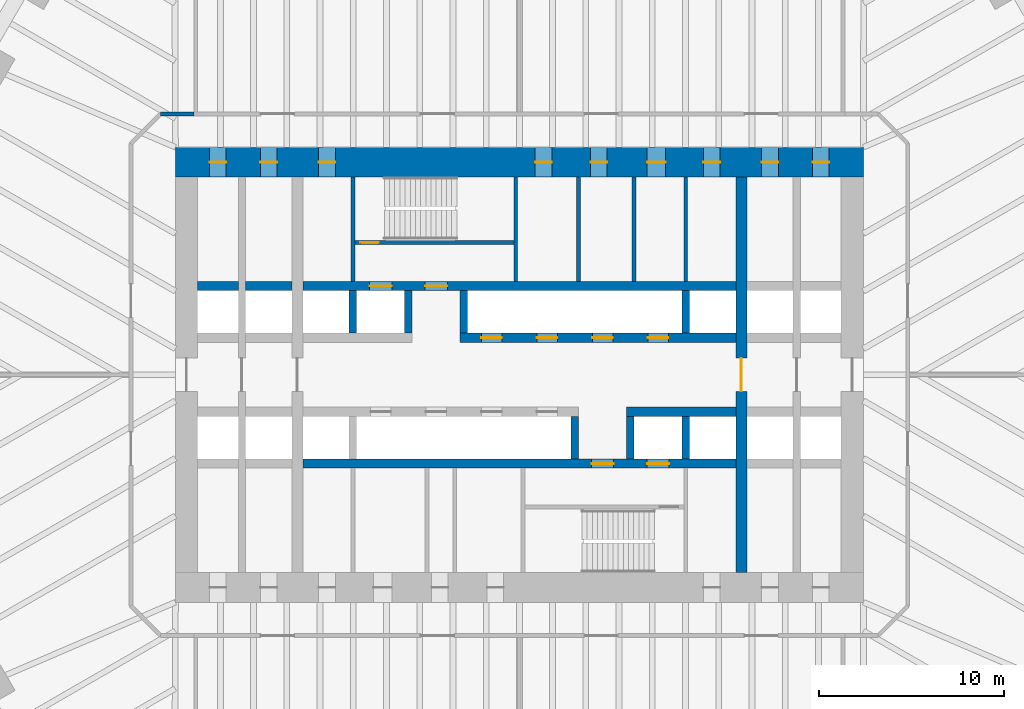
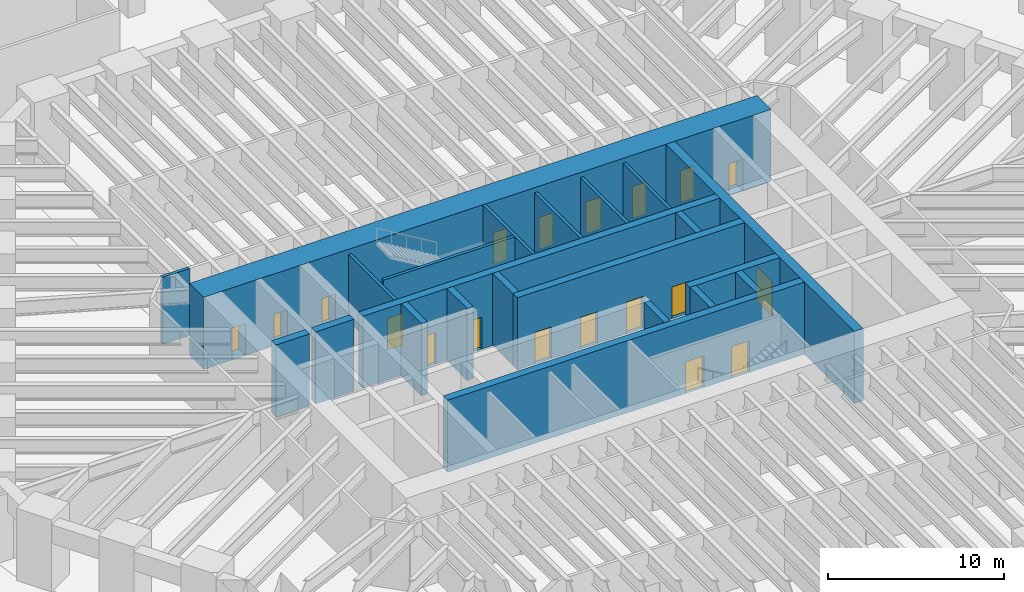
# One storey, part 28 of 31: 22 walls, 19 doors, 19 openings.
"""IFC4 building model written with IfcOpenShell, lengths in metres."""

from ifc_helpers import new_model, si_unit, direction, frame, frame_2d, origin, place, context, subcontext, project, spatial, rectangle, extrude, material, layer, layer_set, type_object, element, fill, save


model = new_model("IFC4")

# Units and contexts
model_context = context("Model", 3, precision=1e-05, world=origin(), true_north=direction((0.0, 1.0)))
body_context = subcontext(model_context, "Body", "Model", "MODEL_VIEW")
ifc_project = project(units=[si_unit("LENGTHUNIT", "METRE"), si_unit("AREAUNIT", "SQUARE_METRE"), si_unit("VOLUMEUNIT", "CUBIC_METRE"), si_unit("PLANEANGLEUNIT", "RADIAN"), si_unit("MASSUNIT", "GRAM", prefix="KILO")], contexts=[model_context])

# Site, building, storey
site_placement = place(None, origin())
site = spatial("IfcSite", under=ifc_project, at=site_placement, CompositionType="ELEMENT")
building_placement = place(site_placement, origin())
building = spatial("IfcBuilding", under=site, at=building_placement, Name="Tarfa Lantern Tower", CompositionType="ELEMENT")
storey_placement = place(building_placement, frame((0.0, 0.0, 18.5)))
storey = spatial("IfcBuildingStorey", under=building, at=storey_placement, Name="L03", CompositionType="ELEMENT", Elevation=18.5)

# Walls
ifc_material_1 = material(Name="Concrete blockwork", Category="masonry")
ifc_layer_1 = layer(ifc_material_1, 0.199951171875)
ifc_layer_set_1 = layer_set([ifc_layer_1], Name="IW1 BLOCKWORK PARTITION 200 EI 120")
wall_type_1 = type_object("IfcWallType", Name="IW1 BLOCKWORK PARTITION 200 EI 120", PredefinedType="PARTITIONING", material=ifc_layer_set_1)
for number, where, z_axis, x_axis, name in (
    (1, (-9.0, 5.050048828125, 0.0), (0.0, 0.0, 1.0), (0.0, 1.0, 0.0), "Core partition"),
    (2, (9.0, 5.050048828125, 0.0), (0.0, 0.0, 1.0), (0.0, 1.0, 0.0), "Core partition"),
    (3, (3.199951171875, 5.050048828125, 0.0), (0.0, 0.0, 1.0), (0.0, 1.0, 0.0), "Core partition"),
    (4, (6.199951171875, 5.050048828125, 0.0), (0.0, 0.0, 1.0), (0.0, 1.0, 0.0), "Core partition"),
):
    element("IfcWall", number, at=place(storey_placement, frame(where, z_axis=z_axis, x_axis=x_axis)), inside=storey, type_object=wall_type_1, Name=name, PredefinedType="PARTITIONING", context=body_context, shape_type="SweptSolid", body=[
        extrude(rectangle(XDim=5.64990234375, YDim=0.199951171875, at=frame_2d((2.824951171875, 0.0))), origin(), (0.0, 0.0, 1.0), 4.64990234375),
    ])
ifc_material_2 = material(Name="Gypsum board on steel studs", Category="steel")
ifc_layer_2 = layer(ifc_material_2, 0.2099609375)
ifc_layer_set_2 = layer_set([ifc_layer_2], Name="IW2 ACOUSTIC PARTITION 200")
wall_type_2 = type_object("IfcWallType", Name="IW2 ACOUSTIC PARTITION 200", PredefinedType="PARTITIONING", material=ifc_layer_set_2)
wall_1_placement = place(storey_placement, frame((-19.39990234375, 14.10009765625, 0.0), z_axis=(0.0, 0.0, 1.0), x_axis=(1.0, 0.0, 0.0)))
element("IfcWall", 5, at=wall_1_placement, inside=storey, type_object=wall_type_2, Name="Partition", PredefinedType="PARTITIONING", context=body_context, shape_type="SweptSolid", body=[
    extrude(rectangle(XDim=1.7998046875, YDim=0.199951171875, at=frame_2d((0.89990234375, 0.0))), origin(), (0.0, 0.0, 1.0), 4.64990234375),
])
ifc_material_3 = material(Name="Concrete C80/95", Category="concrete")
ifc_layer_3 = layer(ifc_material_3, 0.199951171875)
ifc_layer_set_3 = layer_set([ifc_layer_3], Name="SW12 CORE WALL 200")
wall_type_3 = type_object("IfcWallType", Name="SW12 CORE WALL 200", PredefinedType="SHEAR", material=ifc_layer_set_3)
wall_2_placement = place(storey_placement, frame((-0.199951171875, 5.050048828125, 0.0), z_axis=(0.0, 0.0, 1.0), x_axis=(0.0, 1.0, 0.0)))
element("IfcWall", 6, at=wall_2_placement, inside=storey, type_object=wall_type_3, Name="Core wall stair shaft N", PredefinedType="SHEAR", context=body_context, shape_type="SweptSolid", body=[
    extrude(rectangle(XDim=5.64990234375, YDim=0.199951171875, at=frame_2d((2.824951171875, 0.0))), origin(), (0.0, 0.0, 1.0), 5.0),
])

# Wall, opening, door
wall_3_placement = place(storey_placement, frame((-8.89990234375, 7.14990234375, 0.0), z_axis=(0.0, 0.0, 1.0), x_axis=(1.0, 0.0, 0.0)))
wall_3 = element("IfcWall", 7, at=wall_3_placement, inside=storey, type_object=wall_type_3, Name="Core wall stair partition N", PredefinedType="SHEAR", context=body_context, shape_type="SweptSolid", body=[
    extrude(rectangle(XDim=8.599853515625, YDim=0.199951171875, at=frame_2d((4.2998046875, 0.0))), origin(), (0.0, 0.0, 1.0), 5.0),
])
opening_1_placement = place(wall_3_placement, frame((0.300048828125, 0.0, 0.0)))
opening_1 = element("IfcOpeningElement", 8, at=opening_1_placement, cuts=wall_3, Name="Opening D23", PredefinedType="OPENING", context=body_context, shape_type="SweptSolid", body=[
    extrude(rectangle(XDim=1.0, YDim=2.199951171875, at=frame_2d((0.5, 1.10009765625))), frame((0.0, 0.10986328125, 0.0), z_axis=(0.0, -1.0, 0.0), x_axis=(1.0, 0.0, 0.0)), (0.0, 0.0, 1.0), 0.219970703125),
])
ifc_material_4 = material(Name="Steel fire door", Category="steel")
door_type_1 = type_object("IfcDoorType", Name="DF2 STAIR DOOR 1000x2200", OperationType="SINGLE_SWING_LEFT", PredefinedType="DOOR", material=ifc_material_4)
door_1_placement = place(opening_1_placement, origin())
door_1 = element("IfcDoor", 9, at=door_1_placement, inside=storey, type_object=door_type_1, Name="Stair door", OperationType="SINGLE_SWING_RIGHT", OverallHeight=2.199951171875, OverallWidth=1.0, PredefinedType="DOOR", context=body_context, shape_type="SweptSolid", body=[
    extrude(rectangle(XDim=1.0, YDim=2.199951171875, at=frame_2d((0.5, 1.10009765625))), frame((0.0, 0.02490234375, 0.0), z_axis=(0.0, -1.0, 0.0), x_axis=(1.0, 0.0, 0.0)), (0.0, 0.0, 1.0), 0.050048828125),
])
fill(opening_1, door_1)

# Wall, openings, doors
ifc_layer_4 = layer(ifc_material_3, 0.5)
ifc_layer_set_4 = layer_set([ifc_layer_4], Name="SW5 CORE WALL 500")
wall_type_4 = type_object("IfcWallType", Name="SW5 CORE WALL 500", PredefinedType="SHEAR", material=ifc_layer_set_4)
wall_4_placement = place(storey_placement, frame((-3.199951171875, 2.0, 0.0), z_axis=(0.0, 0.0, 1.0), x_axis=(1.0, 0.0, 0.0)))
wall_4 = element("IfcWall", 10, at=wall_4_placement, inside=storey, type_object=wall_type_4, Name="Core wall lobby east N", PredefinedType="SHEAR", context=body_context, shape_type="SweptSolid", body=[
    extrude(rectangle(XDim=14.89990234375, YDim=0.5, at=frame_2d((7.449951171875, 0.0))), origin(), (0.0, 0.0, 1.0), 5.0),
])
opening_2_placement = place(wall_4_placement, frame((1.14990234375, 0.0, 0.0)))
opening_2 = element("IfcOpeningElement", 11, at=opening_2_placement, cuts=wall_4, Name="Opening LD03", PredefinedType="OPENING", context=body_context, shape_type="SweptSolid", body=[
    extrude(rectangle(XDim=1.10009765625, YDim=2.199951171875, at=frame_2d((0.550048828125, 1.10009765625))), frame((0.0, 0.260009765625, 0.0), z_axis=(0.0, -1.0, 0.0), x_axis=(1.0, 0.0, 0.0)), (0.0, 0.0, 1.0), 0.52001953125),
])
opening_3_placement = place(wall_4_placement, frame((4.14990234375, 0.0, 0.0)))
opening_3 = element("IfcOpeningElement", 12, at=opening_3_placement, cuts=wall_4, Name="Opening LD04", PredefinedType="OPENING", context=body_context, shape_type="SweptSolid", body=[
    extrude(rectangle(XDim=1.10009765625, YDim=2.199951171875, at=frame_2d((0.550048828125, 1.10009765625))), frame((0.0, 0.260009765625, 0.0), z_axis=(0.0, -1.0, 0.0), x_axis=(1.0, 0.0, 0.0)), (0.0, 0.0, 1.0), 0.52001953125),
])
opening_4_placement = place(wall_4_placement, frame((7.14990234375, 0.0, 0.0)))
opening_4 = element("IfcOpeningElement", 13, at=opening_4_placement, cuts=wall_4, Name="Opening LD05", PredefinedType="OPENING", context=body_context, shape_type="SweptSolid", body=[
    extrude(rectangle(XDim=1.10009765625, YDim=2.199951171875, at=frame_2d((0.550048828125, 1.10009765625))), frame((0.0, 0.260009765625, 0.0), z_axis=(0.0, -1.0, 0.0), x_axis=(1.0, 0.0, 0.0)), (0.0, 0.0, 1.0), 0.52001953125),
])
opening_5_placement = place(wall_4_placement, frame((10.14990234375, 0.0, 0.0)))
opening_5 = element("IfcOpeningElement", 14, at=opening_5_placement, cuts=wall_4, Name="Opening LD06", PredefinedType="OPENING", context=body_context, shape_type="SweptSolid", body=[
    extrude(rectangle(XDim=1.10009765625, YDim=2.199951171875, at=frame_2d((0.550048828125, 1.10009765625))), frame((0.0, 0.260009765625, 0.0), z_axis=(0.0, -1.0, 0.0), x_axis=(1.0, 0.0, 0.0)), (0.0, 0.0, 1.0), 0.52001953125),
])
ifc_material_5 = material(Name="Stainless steel lift door", Category="steel")
door_type_2 = type_object("IfcDoorType", Name="LD2 LIFT LANDING DOOR 1100x2200", OperationType="SLIDING_TO_LEFT", PredefinedType="DOOR", material=ifc_material_5)
door_2_placement = place(opening_2_placement, frame((1.10009765625, 0.0, 0.0), z_axis=(0.0, 0.0, 1.0), x_axis=(-1.0, 0.0, 0.0)))
door_2 = element("IfcDoor", 15, at=door_2_placement, inside=storey, type_object=door_type_2, Name="Landing door PA1", OperationType="SLIDING_TO_LEFT", OverallHeight=2.199951171875, OverallWidth=1.10009765625, PredefinedType="DOOR", context=body_context, shape_type="SweptSolid", body=[
    extrude(rectangle(XDim=1.10009765625, YDim=2.199951171875, at=frame_2d((0.550048828125, 1.10009765625))), frame((0.0, 0.02490234375, 0.0), z_axis=(0.0, -1.0, 0.0), x_axis=(1.0, 0.0, 0.0)), (0.0, 0.0, 1.0), 0.050048828125),
])
fill(opening_2, door_2)
door_3_placement = place(opening_3_placement, frame((1.10009765625, 0.0, 0.0), z_axis=(0.0, 0.0, 1.0), x_axis=(-1.0, 0.0, 0.0)))
door_3 = element("IfcDoor", 16, at=door_3_placement, inside=storey, type_object=door_type_2, Name="Landing door PA2", OperationType="SLIDING_TO_LEFT", OverallHeight=2.199951171875, OverallWidth=1.10009765625, PredefinedType="DOOR", context=body_context, shape_type="SweptSolid", body=[
    extrude(rectangle(XDim=1.10009765625, YDim=2.199951171875, at=frame_2d((0.550048828125, 1.10009765625))), frame((0.0, 0.02490234375, 0.0), z_axis=(0.0, -1.0, 0.0), x_axis=(1.0, 0.0, 0.0)), (0.0, 0.0, 1.0), 0.050048828125),
])
fill(opening_3, door_3)
door_4_placement = place(opening_4_placement, frame((1.10009765625, 0.0, 0.0), z_axis=(0.0, 0.0, 1.0), x_axis=(-1.0, 0.0, 0.0)))
door_4 = element("IfcDoor", 17, at=door_4_placement, inside=storey, type_object=door_type_2, Name="Landing door PA3", OperationType="SLIDING_TO_LEFT", OverallHeight=2.199951171875, OverallWidth=1.10009765625, PredefinedType="DOOR", context=body_context, shape_type="SweptSolid", body=[
    extrude(rectangle(XDim=1.10009765625, YDim=2.199951171875, at=frame_2d((0.550048828125, 1.10009765625))), frame((0.0, 0.02490234375, 0.0), z_axis=(0.0, -1.0, 0.0), x_axis=(1.0, 0.0, 0.0)), (0.0, 0.0, 1.0), 0.050048828125),
])
fill(opening_4, door_4)
door_5_placement = place(opening_5_placement, frame((1.10009765625, 0.0, 0.0), z_axis=(0.0, 0.0, 1.0), x_axis=(-1.0, 0.0, 0.0)))
door_5 = element("IfcDoor", 18, at=door_5_placement, inside=storey, type_object=door_type_2, Name="Landing door PA4", OperationType="SLIDING_TO_LEFT", OverallHeight=2.199951171875, OverallWidth=1.10009765625, PredefinedType="DOOR", context=body_context, shape_type="SweptSolid", body=[
    extrude(rectangle(XDim=1.10009765625, YDim=2.199951171875, at=frame_2d((0.550048828125, 1.10009765625))), frame((0.0, 0.02490234375, 0.0), z_axis=(0.0, -1.0, 0.0), x_axis=(1.0, 0.0, 0.0)), (0.0, 0.0, 1.0), 0.050048828125),
])
fill(opening_5, door_5)

# Walls
wall_5_placement = place(storey_placement, frame((-17.39990234375, 4.800048828125, 0.0), z_axis=(0.0, 0.0, 1.0), x_axis=(1.0, 0.0, 0.0)))
element("IfcWall", 19, at=wall_5_placement, inside=storey, type_object=wall_type_4, Name="Core wall rear N", PredefinedType="SHEAR", context=body_context, shape_type="SweptSolid", body=[
    extrude(rectangle(XDim=2.199951171875, YDim=0.5, at=frame_2d((1.10009765625, 0.0))), origin(), (0.0, 0.0, 1.0), 5.0),
])
wall_6_placement = place(storey_placement, frame((-14.800048828125, 4.800048828125, 0.0), z_axis=(0.0, 0.0, 1.0), x_axis=(1.0, 0.0, 0.0)))
element("IfcWall", 20, at=wall_6_placement, inside=storey, type_object=wall_type_4, Name="Core wall rear N", PredefinedType="SHEAR", context=body_context, shape_type="SweptSolid", body=[
    extrude(rectangle(XDim=2.5, YDim=0.5, at=frame_2d((1.25, 0.0))), origin(), (0.0, 0.0, 1.0), 5.0),
])

# Wall, openings, doors
wall_7_placement = place(storey_placement, frame((-11.699951171875, 4.800048828125, 0.0), z_axis=(0.0, 0.0, 1.0), x_axis=(1.0, 0.0, 0.0)))
wall_7 = element("IfcWall", 21, at=wall_7_placement, inside=storey, type_object=wall_type_4, Name="Core wall rear N", PredefinedType="SHEAR", context=body_context, shape_type="SweptSolid", body=[
    extrude(rectangle(XDim=23.39990234375, YDim=0.5, at=frame_2d((11.699951171875, 0.0))), origin(), (0.0, 0.0, 1.0), 5.0),
])
opening_6_placement = place(wall_7_placement, frame((6.60009765625, 0.0, 0.0)))
opening_6 = element("IfcOpeningElement", 22, at=opening_6_placement, cuts=wall_7, Name="Opening D13", PredefinedType="OPENING", context=body_context, shape_type="SweptSolid", body=[
    extrude(rectangle(XDim=1.199951171875, YDim=2.199951171875, at=frame_2d((0.60009765625, 1.10009765625))), frame((0.0, 0.260009765625, 0.0), z_axis=(0.0, -1.0, 0.0), x_axis=(1.0, 0.0, 0.0)), (0.0, 0.0, 1.0), 0.52001953125),
])
opening_7_placement = place(wall_7_placement, frame((3.60009765625, 0.0, 0.0)))
opening_7 = element("IfcOpeningElement", 23, at=opening_7_placement, cuts=wall_7, Name="Opening LD01", PredefinedType="OPENING", context=body_context, shape_type="SweptSolid", body=[
    extrude(rectangle(XDim=1.199951171875, YDim=2.199951171875, at=frame_2d((0.60009765625, 1.10009765625))), frame((0.0, 0.260009765625, 0.0), z_axis=(0.0, -1.0, 0.0), x_axis=(1.0, 0.0, 0.0)), (0.0, 0.0, 1.0), 0.52001953125),
])
door_type_3 = type_object("IfcDoorType", Name="DF1 FIREFIGHTING LOBBY DOOR 1200x2200", OperationType="SINGLE_SWING_LEFT", PredefinedType="DOOR", material=ifc_material_4)
door_6_placement = place(opening_6_placement, origin())
door_6 = element("IfcDoor", 24, at=door_6_placement, inside=storey, type_object=door_type_3, Name="Firefighting lobby door", OperationType="SINGLE_SWING_LEFT", OverallHeight=2.199951171875, OverallWidth=1.199951171875, PredefinedType="DOOR", context=body_context, shape_type="SweptSolid", body=[
    extrude(rectangle(XDim=1.199951171875, YDim=2.199951171875, at=frame_2d((0.60009765625, 1.10009765625))), frame((0.0, 0.02490234375, 0.0), z_axis=(0.0, -1.0, 0.0), x_axis=(1.0, 0.0, 0.0)), (0.0, 0.0, 1.0), 0.050048828125),
])
fill(opening_6, door_6)
door_type_4 = type_object("IfcDoorType", Name="LD1 LIFT LANDING DOOR 1200x2200", OperationType="SLIDING_TO_LEFT", PredefinedType="DOOR", material=ifc_material_5)
door_7_placement = place(opening_7_placement, origin())
door_7 = element("IfcDoor", 25, at=door_7_placement, inside=storey, type_object=door_type_4, Name="Landing door FL1", OperationType="SLIDING_TO_LEFT", OverallHeight=2.199951171875, OverallWidth=1.199951171875, PredefinedType="DOOR", context=body_context, shape_type="SweptSolid", body=[
    extrude(rectangle(XDim=1.199951171875, YDim=2.199951171875, at=frame_2d((0.60009765625, 1.10009765625))), frame((0.0, 0.02490234375, 0.0), z_axis=(0.0, -1.0, 0.0), x_axis=(1.0, 0.0, 0.0)), (0.0, 0.0, 1.0), 0.050048828125),
])
fill(opening_7, door_7)

# Wall
wall_8_placement = place(storey_placement, frame((11.699951171875, -2.0, 0.0), z_axis=(0.0, 0.0, 1.0), x_axis=(-1.0, 0.0, 0.0)))
element("IfcWall", 26, at=wall_8_placement, inside=storey, type_object=wall_type_4, Name="Core wall lobby west S", PredefinedType="SHEAR", context=body_context, shape_type="SweptSolid", body=[
    extrude(rectangle(XDim=5.89990234375, YDim=0.5, at=frame_2d((2.949951171875, 0.0))), origin(), (0.0, 0.0, 1.0), 5.0),
])

# Wall, openings, doors
wall_9_placement = place(storey_placement, frame((11.699951171875, -4.800048828125, 0.0), z_axis=(0.0, 0.0, 1.0), x_axis=(-1.0, 0.0, 0.0)))
wall_9 = element("IfcWall", 27, at=wall_9_placement, inside=storey, type_object=wall_type_4, Name="Core wall rear S", PredefinedType="SHEAR", context=body_context, shape_type="SweptSolid", body=[
    extrude(rectangle(XDim=23.39990234375, YDim=0.5, at=frame_2d((11.699951171875, 0.0))), origin(), (0.0, 0.0, 1.0), 5.0),
])
opening_8_placement = place(wall_9_placement, frame((6.60009765625, 0.0, 0.0)))
opening_8 = element("IfcOpeningElement", 28, at=opening_8_placement, cuts=wall_9, Name="Opening D14", PredefinedType="OPENING", context=body_context, shape_type="SweptSolid", body=[
    extrude(rectangle(XDim=1.199951171875, YDim=2.199951171875, at=frame_2d((0.60009765625, 1.10009765625))), frame((0.0, 0.260009765625, 0.0), z_axis=(0.0, -1.0, 0.0), x_axis=(1.0, 0.0, 0.0)), (0.0, 0.0, 1.0), 0.52001953125),
])
opening_9_placement = place(wall_9_placement, frame((3.60009765625, 0.0, 0.0)))
opening_9 = element("IfcOpeningElement", 29, at=opening_9_placement, cuts=wall_9, Name="Opening LD02", PredefinedType="OPENING", context=body_context, shape_type="SweptSolid", body=[
    extrude(rectangle(XDim=1.199951171875, YDim=2.199951171875, at=frame_2d((0.60009765625, 1.10009765625))), frame((0.0, 0.260009765625, 0.0), z_axis=(0.0, -1.0, 0.0), x_axis=(1.0, 0.0, 0.0)), (0.0, 0.0, 1.0), 0.52001953125),
])
door_8_placement = place(opening_8_placement, origin())
door_8 = element("IfcDoor", 30, at=door_8_placement, inside=storey, type_object=door_type_3, Name="Firefighting lobby door", OperationType="SINGLE_SWING_LEFT", OverallHeight=2.199951171875, OverallWidth=1.199951171875, PredefinedType="DOOR", context=body_context, shape_type="SweptSolid", body=[
    extrude(rectangle(XDim=1.199951171875, YDim=2.199951171875, at=frame_2d((0.60009765625, 1.10009765625))), frame((0.0, 0.02490234375, 0.0), z_axis=(0.0, -1.0, 0.0), x_axis=(1.0, 0.0, 0.0)), (0.0, 0.0, 1.0), 0.050048828125),
])
fill(opening_8, door_8)
door_9_placement = place(opening_9_placement, origin())
door_9 = element("IfcDoor", 31, at=door_9_placement, inside=storey, type_object=door_type_4, Name="Landing door FL2", OperationType="SLIDING_TO_LEFT", OverallHeight=2.199951171875, OverallWidth=1.199951171875, PredefinedType="DOOR", context=body_context, shape_type="SweptSolid", body=[
    extrude(rectangle(XDim=1.199951171875, YDim=2.199951171875, at=frame_2d((0.60009765625, 1.10009765625))), frame((0.0, 0.02490234375, 0.0), z_axis=(0.0, -1.0, 0.0), x_axis=(1.0, 0.0, 0.0)), (0.0, 0.0, 1.0), 0.050048828125),
])
fill(opening_9, door_9)

# Walls
ifc_layer_5 = layer(ifc_material_3, 0.39990234375)
ifc_layer_set_5 = layer_set([ifc_layer_5], Name="SW6 CORE WALL 400")
wall_type_5 = type_object("IfcWallType", Name="SW6 CORE WALL 400", PredefinedType="SHEAR", material=ifc_layer_set_5)
for number, where, z_axis, x_axis, name in (
    (32, (-9.0, 2.25, 0.0), (0.0, 0.0, 1.0), (0.0, 1.0, 0.0), "Core wall divider N"),
    (33, (-6.0, 2.25, 0.0), (0.0, 0.0, 1.0), (0.0, 1.0, 0.0), "Core wall divider N"),
    (34, (-3.0, 2.25, 0.0), (0.0, 0.0, 1.0), (0.0, 1.0, 0.0), "Core wall divider N"),
    (35, (9.0, 2.25, 0.0), (0.0, 0.0, 1.0), (0.0, 1.0, 0.0), "Core wall divider N"),
    (36, (9.0, -2.25, 0.0), (0.0, 0.0, 1.0), (0.0, -1.0, 0.0), "Core wall divider S"),
    (37, (6.0, -2.25, 0.0), (0.0, 0.0, 1.0), (0.0, -1.0, 0.0), "Core wall divider S"),
    (38, (3.0, -2.25, 0.0), (0.0, 0.0, 1.0), (0.0, -1.0, 0.0), "Core wall divider S"),
):
    element("IfcWall", number, at=place(storey_placement, frame(where, z_axis=z_axis, x_axis=x_axis)), inside=storey, type_object=wall_type_5, Name=name, PredefinedType="SHEAR", context=body_context, shape_type="SweptSolid", body=[
        extrude(rectangle(XDim=2.300048828125, YDim=0.39990234375, at=frame_2d((1.14990234375, 0.0))), origin(), (0.0, 0.0, 1.0), 5.0),
    ])

# Wall, openings, doors
ifc_layer_6 = layer(ifc_material_3, 1.60009765625)
ifc_layer_set_6 = layer_set([ifc_layer_6], Name="SW7 CORE WALL 1600")
wall_type_6 = type_object("IfcWallType", Name="SW7 CORE WALL 1600", PredefinedType="SHEAR", material=ifc_layer_set_6)
wall_10_placement = place(storey_placement, frame((-18.60009765625, 11.5, 0.0), z_axis=(0.0, 0.0, 1.0), x_axis=(1.0, 0.0, 0.0)))
wall_10 = element("IfcWall", 39, at=wall_10_placement, inside=storey, type_object=wall_type_6, Name="Core wall N", PredefinedType="SHEAR", context=body_context, shape_type="SweptSolid", body=[
    extrude(rectangle(XDim=37.2001953125, YDim=1.60009765625, at=frame_2d((18.60009765625, 0.0))), origin(), (0.0, 0.0, 1.0), 5.0),
])
opening_10_placement = place(wall_10_placement, frame((19.449951171875, 0.0, 0.0)))
opening_10 = element("IfcOpeningElement", 40, at=opening_10_placement, cuts=wall_10, Name="Opening D17", PredefinedType="OPENING", context=body_context, shape_type="SweptSolid", body=[
    extrude(rectangle(XDim=0.89990234375, YDim=2.199951171875, at=frame_2d((0.449951171875, 1.10009765625))), frame((0.0, 0.81005859375, 0.0), z_axis=(0.0, -1.0, 0.0), x_axis=(1.0, 0.0, 0.0)), (0.0, 0.0, 1.0), 1.6201171875),
])
opening_11_placement = place(wall_10_placement, frame((22.449951171875, 0.0, 0.0)))
opening_11 = element("IfcOpeningElement", 41, at=opening_11_placement, cuts=wall_10, Name="Opening D19", PredefinedType="OPENING", context=body_context, shape_type="SweptSolid", body=[
    extrude(rectangle(XDim=0.89990234375, YDim=2.199951171875, at=frame_2d((0.449951171875, 1.10009765625))), frame((0.0, 0.81005859375, 0.0), z_axis=(0.0, -1.0, 0.0), x_axis=(1.0, 0.0, 0.0)), (0.0, 0.0, 1.0), 1.6201171875),
])
opening_12_placement = place(wall_10_placement, frame((25.5, 0.0, 0.0)))
opening_12 = element("IfcOpeningElement", 42, at=opening_12_placement, cuts=wall_10, Name="Opening D21", PredefinedType="OPENING", context=body_context, shape_type="SweptSolid", body=[
    extrude(rectangle(XDim=1.0, YDim=2.199951171875, at=frame_2d((0.5, 1.10009765625))), frame((0.0, 0.81005859375, 0.0), z_axis=(0.0, -1.0, 0.0), x_axis=(1.0, 0.0, 0.0)), (0.0, 0.0, 1.0), 1.6201171875),
])
opening_13_placement = place(wall_10_placement, frame((1.85009765625, 0.0, 0.0)))
opening_13 = element("IfcOpeningElement", 43, at=opening_13_placement, cuts=wall_10, Name="Opening D11", PredefinedType="OPENING", context=body_context, shape_type="SweptSolid", body=[
    extrude(rectangle(XDim=0.89990234375, YDim=2.199951171875, at=frame_2d((0.449951171875, 1.10009765625))), frame((0.0, 0.81005859375, 0.0), z_axis=(0.0, -1.0, 0.0), x_axis=(1.0, 0.0, 0.0)), (0.0, 0.0, 1.0), 1.6201171875),
])
opening_14_placement = place(wall_10_placement, frame((4.60009765625, 0.0, 0.0)))
opening_14 = element("IfcOpeningElement", 44, at=opening_14_placement, cuts=wall_10, Name="Opening D07", PredefinedType="OPENING", context=body_context, shape_type="SweptSolid", body=[
    extrude(rectangle(XDim=0.89990234375, YDim=2.199951171875, at=frame_2d((0.449951171875, 1.10009765625))), frame((0.0, 0.81005859375, 0.0), z_axis=(0.0, -1.0, 0.0), x_axis=(1.0, 0.0, 0.0)), (0.0, 0.0, 1.0), 1.6201171875),
])
opening_15_placement = place(wall_10_placement, frame((7.75, 0.0, 0.0)))
opening_15 = element("IfcOpeningElement", 45, at=opening_15_placement, cuts=wall_10, Name="Opening D09", PredefinedType="OPENING", context=body_context, shape_type="SweptSolid", body=[
    extrude(rectangle(XDim=0.89990234375, YDim=2.199951171875, at=frame_2d((0.449951171875, 1.10009765625))), frame((0.0, 0.81005859375, 0.0), z_axis=(0.0, -1.0, 0.0), x_axis=(1.0, 0.0, 0.0)), (0.0, 0.0, 1.0), 1.6201171875),
])
opening_16_placement = place(wall_10_placement, frame((28.550048828125, 0.0, 0.0)))
opening_16 = element("IfcOpeningElement", 46, at=opening_16_placement, cuts=wall_10, Name="Opening D05", PredefinedType="OPENING", context=body_context, shape_type="SweptSolid", body=[
    extrude(rectangle(XDim=0.89990234375, YDim=2.199951171875, at=frame_2d((0.449951171875, 1.10009765625))), frame((0.0, 0.81005859375, 0.0), z_axis=(0.0, -1.0, 0.0), x_axis=(1.0, 0.0, 0.0)), (0.0, 0.0, 1.0), 1.6201171875),
])
opening_17_placement = place(wall_10_placement, frame((31.699951171875, 0.0, 0.0)))
opening_17 = element("IfcOpeningElement", 47, at=opening_17_placement, cuts=wall_10, Name="Opening D01", PredefinedType="OPENING", context=body_context, shape_type="SweptSolid", body=[
    extrude(rectangle(XDim=0.89990234375, YDim=2.199951171875, at=frame_2d((0.449951171875, 1.10009765625))), frame((0.0, 0.81005859375, 0.0), z_axis=(0.0, -1.0, 0.0), x_axis=(1.0, 0.0, 0.0)), (0.0, 0.0, 1.0), 1.6201171875),
])
opening_18_placement = place(wall_10_placement, frame((34.449951171875, 0.0, 0.0)))
opening_18 = element("IfcOpeningElement", 48, at=opening_18_placement, cuts=wall_10, Name="Opening D03", PredefinedType="OPENING", context=body_context, shape_type="SweptSolid", body=[
    extrude(rectangle(XDim=0.89990234375, YDim=2.199951171875, at=frame_2d((0.449951171875, 1.10009765625))), frame((0.0, 0.81005859375, 0.0), z_axis=(0.0, -1.0, 0.0), x_axis=(1.0, 0.0, 0.0)), (0.0, 0.0, 1.0), 1.6201171875),
])
door_type_5 = type_object("IfcDoorType", Name="DF3 CORE ROOM DOOR 900x2200", OperationType="SINGLE_SWING_LEFT", PredefinedType="DOOR", material=ifc_material_4)
door_10_placement = place(opening_10_placement, frame((0.89990234375, 0.0, 0.0), z_axis=(0.0, 0.0, 1.0), x_axis=(-1.0, 0.0, 0.0)))
door_10 = element("IfcDoor", 49, at=door_10_placement, inside=storey, type_object=door_type_5, Name="Core door", OperationType="SINGLE_SWING_LEFT", OverallHeight=2.199951171875, OverallWidth=0.89990234375, PredefinedType="DOOR", context=body_context, shape_type="SweptSolid", body=[
    extrude(rectangle(XDim=0.89990234375, YDim=2.199951171875, at=frame_2d((0.449951171875, 1.10009765625))), frame((0.0, 0.02490234375, 0.0), z_axis=(0.0, -1.0, 0.0), x_axis=(1.0, 0.0, 0.0)), (0.0, 0.0, 1.0), 0.050048828125),
])
fill(opening_10, door_10)
door_11_placement = place(opening_11_placement, frame((0.89990234375, 0.0, 0.0), z_axis=(0.0, 0.0, 1.0), x_axis=(-1.0, 0.0, 0.0)))
door_11 = element("IfcDoor", 50, at=door_11_placement, inside=storey, type_object=door_type_5, Name="Core door", OperationType="SINGLE_SWING_LEFT", OverallHeight=2.199951171875, OverallWidth=0.89990234375, PredefinedType="DOOR", context=body_context, shape_type="SweptSolid", body=[
    extrude(rectangle(XDim=0.89990234375, YDim=2.199951171875, at=frame_2d((0.449951171875, 1.10009765625))), frame((0.0, 0.02490234375, 0.0), z_axis=(0.0, -1.0, 0.0), x_axis=(1.0, 0.0, 0.0)), (0.0, 0.0, 1.0), 0.050048828125),
])
fill(opening_11, door_11)
door_type_6 = type_object("IfcDoorType", Name="DF4 CORE ROOM DOOR 1000x2200", OperationType="SINGLE_SWING_LEFT", PredefinedType="DOOR", material=ifc_material_4)
door_12_placement = place(opening_12_placement, frame((1.0, 0.0, 0.0), z_axis=(0.0, 0.0, 1.0), x_axis=(-1.0, 0.0, 0.0)))
door_12 = element("IfcDoor", 51, at=door_12_placement, inside=storey, type_object=door_type_6, Name="Core door", OperationType="SINGLE_SWING_LEFT", OverallHeight=2.199951171875, OverallWidth=1.0, PredefinedType="DOOR", context=body_context, shape_type="SweptSolid", body=[
    extrude(rectangle(XDim=1.0, YDim=2.199951171875, at=frame_2d((0.5, 1.10009765625))), frame((0.0, 0.02490234375, 0.0), z_axis=(0.0, -1.0, 0.0), x_axis=(1.0, 0.0, 0.0)), (0.0, 0.0, 1.0), 0.050048828125),
])
fill(opening_12, door_12)
door_type_7 = type_object("IfcDoorType", Name="DF5 RISER DOOR 900x2200", OperationType="SINGLE_SWING_LEFT", PredefinedType="DOOR", material=ifc_material_4)
door_13_placement = place(opening_13_placement, frame((0.89990234375, 0.0, 0.0), z_axis=(0.0, 0.0, 1.0), x_axis=(-1.0, 0.0, 0.0)))
door_13 = element("IfcDoor", 52, at=door_13_placement, inside=storey, type_object=door_type_7, Name="Riser door", OperationType="SINGLE_SWING_LEFT", OverallHeight=2.199951171875, OverallWidth=0.89990234375, PredefinedType="DOOR", context=body_context, shape_type="SweptSolid", body=[
    extrude(rectangle(XDim=0.89990234375, YDim=2.199951171875, at=frame_2d((0.449951171875, 1.10009765625))), frame((0.0, 0.02490234375, 0.0), z_axis=(0.0, -1.0, 0.0), x_axis=(1.0, 0.0, 0.0)), (0.0, 0.0, 1.0), 0.050048828125),
])
fill(opening_13, door_13)
door_14_placement = place(opening_14_placement, frame((0.89990234375, 0.0, 0.0), z_axis=(0.0, 0.0, 1.0), x_axis=(-1.0, 0.0, 0.0)))
door_14 = element("IfcDoor", 53, at=door_14_placement, inside=storey, type_object=door_type_7, Name="Riser door", OperationType="SINGLE_SWING_LEFT", OverallHeight=2.199951171875, OverallWidth=0.89990234375, PredefinedType="DOOR", context=body_context, shape_type="SweptSolid", body=[
    extrude(rectangle(XDim=0.89990234375, YDim=2.199951171875, at=frame_2d((0.449951171875, 1.10009765625))), frame((0.0, 0.02490234375, 0.0), z_axis=(0.0, -1.0, 0.0), x_axis=(1.0, 0.0, 0.0)), (0.0, 0.0, 1.0), 0.050048828125),
])
fill(opening_14, door_14)
door_15_placement = place(opening_15_placement, frame((0.89990234375, 0.0, 0.0), z_axis=(0.0, 0.0, 1.0), x_axis=(-1.0, 0.0, 0.0)))
door_15 = element("IfcDoor", 54, at=door_15_placement, inside=storey, type_object=door_type_7, Name="Riser door", OperationType="SINGLE_SWING_LEFT", OverallHeight=2.199951171875, OverallWidth=0.89990234375, PredefinedType="DOOR", context=body_context, shape_type="SweptSolid", body=[
    extrude(rectangle(XDim=0.89990234375, YDim=2.199951171875, at=frame_2d((0.449951171875, 1.10009765625))), frame((0.0, 0.02490234375, 0.0), z_axis=(0.0, -1.0, 0.0), x_axis=(1.0, 0.0, 0.0)), (0.0, 0.0, 1.0), 0.050048828125),
])
fill(opening_15, door_15)
door_16_placement = place(opening_16_placement, frame((0.89990234375, 0.0, 0.0), z_axis=(0.0, 0.0, 1.0), x_axis=(-1.0, 0.0, 0.0)))
door_16 = element("IfcDoor", 55, at=door_16_placement, inside=storey, type_object=door_type_7, Name="Riser door", OperationType="SINGLE_SWING_RIGHT", OverallHeight=2.199951171875, OverallWidth=0.89990234375, PredefinedType="DOOR", context=body_context, shape_type="SweptSolid", body=[
    extrude(rectangle(XDim=0.89990234375, YDim=2.199951171875, at=frame_2d((0.449951171875, 1.10009765625))), frame((0.0, 0.02490234375, 0.0), z_axis=(0.0, -1.0, 0.0), x_axis=(1.0, 0.0, 0.0)), (0.0, 0.0, 1.0), 0.050048828125),
])
fill(opening_16, door_16)
door_17_placement = place(opening_17_placement, frame((0.89990234375, 0.0, 0.0), z_axis=(0.0, 0.0, 1.0), x_axis=(-1.0, 0.0, 0.0)))
door_17 = element("IfcDoor", 56, at=door_17_placement, inside=storey, type_object=door_type_7, Name="Riser door", OperationType="SINGLE_SWING_RIGHT", OverallHeight=2.199951171875, OverallWidth=0.89990234375, PredefinedType="DOOR", context=body_context, shape_type="SweptSolid", body=[
    extrude(rectangle(XDim=0.89990234375, YDim=2.199951171875, at=frame_2d((0.449951171875, 1.10009765625))), frame((0.0, 0.02490234375, 0.0), z_axis=(0.0, -1.0, 0.0), x_axis=(1.0, 0.0, 0.0)), (0.0, 0.0, 1.0), 0.050048828125),
])
fill(opening_17, door_17)
door_18_placement = place(opening_18_placement, frame((0.89990234375, 0.0, 0.0), z_axis=(0.0, 0.0, 1.0), x_axis=(-1.0, 0.0, 0.0)))
door_18 = element("IfcDoor", 57, at=door_18_placement, inside=storey, type_object=door_type_7, Name="Riser door", OperationType="SINGLE_SWING_RIGHT", OverallHeight=2.199951171875, OverallWidth=0.89990234375, PredefinedType="DOOR", context=body_context, shape_type="SweptSolid", body=[
    extrude(rectangle(XDim=0.89990234375, YDim=2.199951171875, at=frame_2d((0.449951171875, 1.10009765625))), frame((0.0, 0.02490234375, 0.0), z_axis=(0.0, -1.0, 0.0), x_axis=(1.0, 0.0, 0.0)), (0.0, 0.0, 1.0), 0.050048828125),
])
fill(opening_18, door_18)

# Wall, opening, door
ifc_layer_7 = layer(ifc_material_3, 0.60009765625)
ifc_layer_set_7 = layer_set([ifc_layer_7], Name="SW9 CORE WALL 600")
wall_type_7 = type_object("IfcWallType", Name="SW9 CORE WALL 600", PredefinedType="SHEAR", material=ifc_layer_set_7)
wall_11_placement = place(storey_placement, frame((12.0, -10.699951171875, 0.0), z_axis=(0.0, 0.0, 1.0), x_axis=(0.0, 1.0, 0.0)))
wall_11 = element("IfcWall", 58, at=wall_11_placement, inside=storey, type_object=wall_type_7, Name="Core wall cross 12 m east", PredefinedType="SHEAR", context=body_context, shape_type="SweptSolid", body=[
    extrude(rectangle(XDim=21.39990234375, YDim=0.60009765625, at=frame_2d((10.699951171875, 0.0))), origin(), (0.0, 0.0, 1.0), 5.0),
])
opening_19_placement = place(wall_11_placement, frame((9.800048828125, 0.0, 0.0)))
opening_19 = element("IfcOpeningElement", 59, at=opening_19_placement, cuts=wall_11, Name="Opening D25", PredefinedType="OPENING", context=body_context, shape_type="SweptSolid", body=[
    extrude(rectangle(XDim=1.800048828125, YDim=2.39990234375, at=frame_2d((0.89990234375, 1.199951171875))), frame((0.0, 0.31005859375, 0.0), z_axis=(0.0, -1.0, 0.0), x_axis=(1.0, 0.0, 0.0)), (0.0, 0.0, 1.0), 0.6201171875),
])
door_type_8 = type_object("IfcDoorType", Name="DL1 LOBBY DOOR 1800x2400", OperationType="DOUBLE_DOOR_SINGLE_SWING", PredefinedType="DOOR", material=ifc_material_4)
door_19_placement = place(opening_19_placement, origin())
door_19 = element("IfcDoor", 60, at=door_19_placement, inside=storey, type_object=door_type_8, Name="Lift lobby door", OperationType="DOUBLE_DOOR_SINGLE_SWING", OverallHeight=2.39990234375, OverallWidth=1.800048828125, PredefinedType="DOOR", context=body_context, shape_type="SweptSolid", body=[
    extrude(rectangle(XDim=1.800048828125, YDim=2.39990234375, at=frame_2d((0.89990234375, 1.199951171875))), frame((0.0, 0.02490234375, 0.0), z_axis=(0.0, -1.0, 0.0), x_axis=(1.0, 0.0, 0.0)), (0.0, 0.0, 1.0), 0.050048828125),
])
fill(opening_19, door_19)

save(model, "model.ifc")
